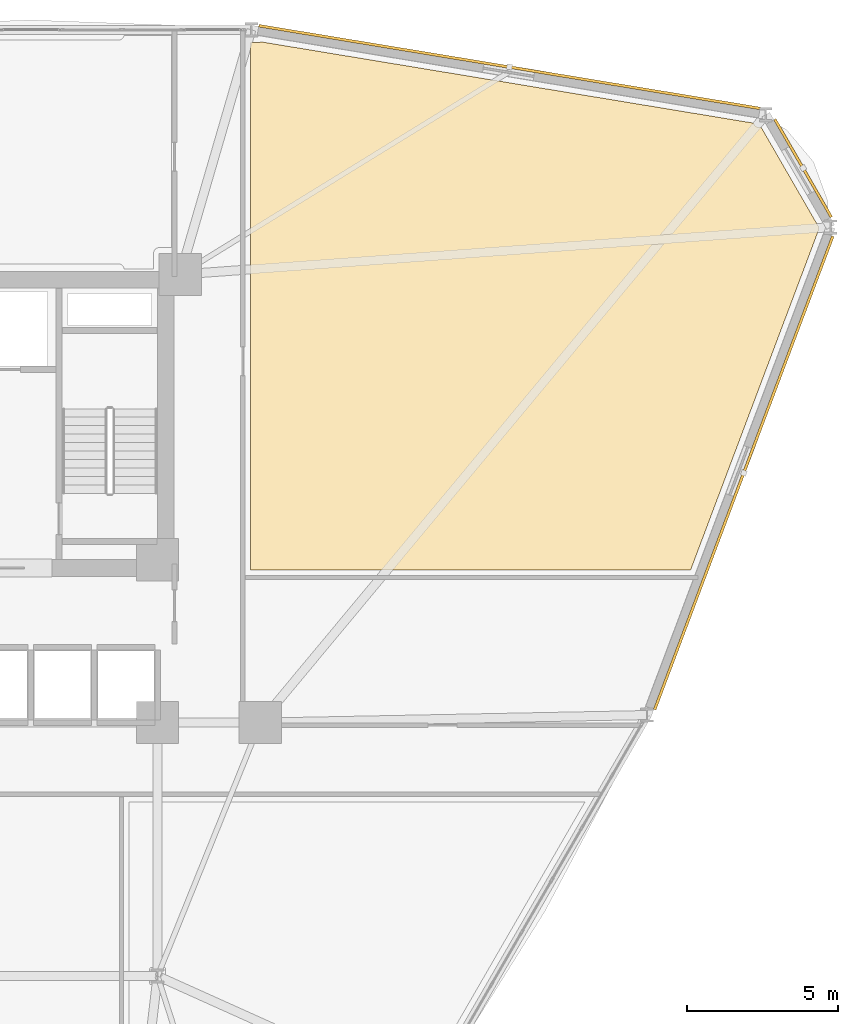
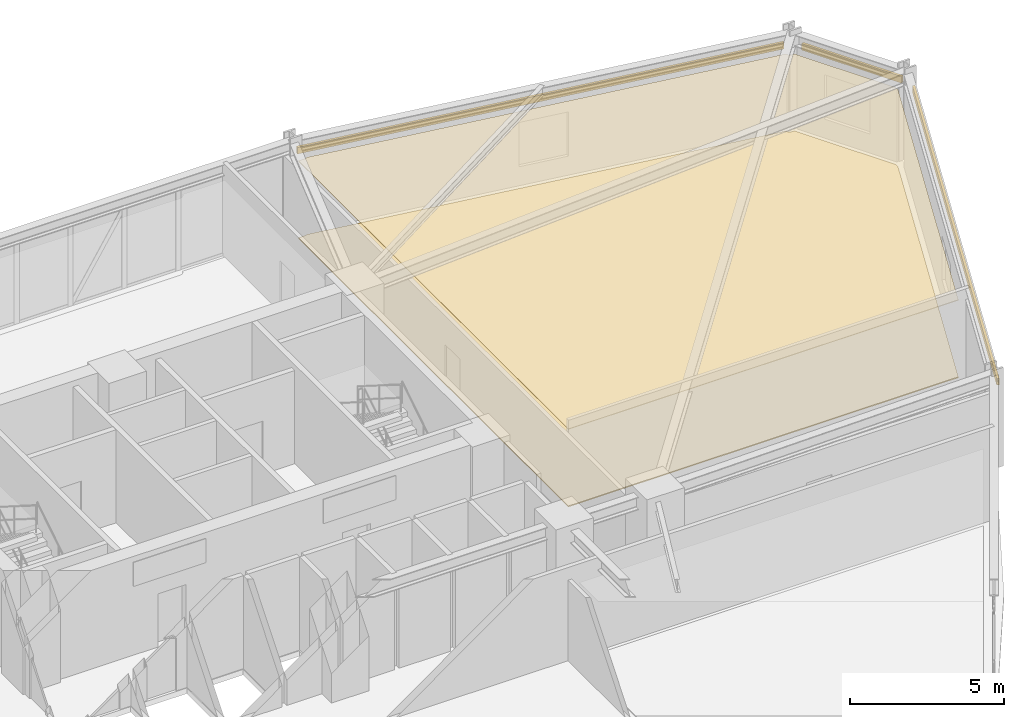
# One storey, part 20 of 20: 3 shading devices, 2 coverings.
"""IFC4 building model written with IfcOpenShell, lengths in metres."""

from ifc_helpers import new_model, si_unit, derived_unit, direction, frame, origin, origin_2d, place, context, subcontext, project, spatial, polyline, hollow_rectangle, outline, extrude, source, transform, mapped, material, layer, layer_set, material_profile, profile_set, type_object, element, save


model = new_model("IFC4")

# Units and contexts
model_context = context("Model", 3, precision=1e-05, world=origin(), true_north=direction((0.0, 1.0)))
body_context = subcontext(model_context, "Body", "Model", "MODEL_VIEW")
ifc_project = project(units=[si_unit("LENGTHUNIT", "METRE"), si_unit("AREAUNIT", "SQUARE_METRE"), si_unit("VOLUMEUNIT", "CUBIC_METRE"), si_unit("PLANEANGLEUNIT", "RADIAN"), si_unit("MASSUNIT", "GRAM", prefix="KILO"), derived_unit("THERMALTRANSMITTANCEUNIT", [(si_unit("POWERUNIT", "WATT"), 1), (si_unit("LENGTHUNIT", "METRE"), -2), (si_unit("THERMODYNAMICTEMPERATUREUNIT", "KELVIN"), -1)])], contexts=[model_context])

# Site, building, storey
site_placement = place(None, origin())
site = spatial("IfcSite", under=ifc_project, at=site_placement, CompositionType="ELEMENT")
building_placement = place(site_placement, origin())
building = spatial("IfcBuilding", under=site, at=building_placement, Name="Korsvarv Bourse and Concert Hall", CompositionType="ELEMENT")
storey_placement = place(building_placement, frame((0.0, 0.0, 87.300048828125)))
storey = spatial("IfcBuildingStorey", under=building, at=storey_placement, Name="L21", CompositionType="ELEMENT", Elevation=87.300048828125)

# Coverings
ifc_material_1 = material(Name="Perforated mineral-wool and birch acoustic baffle ceiling", Category="wood")
ifc_layer_1 = layer(ifc_material_1, 0.02490234375)
ifc_layer_set_1 = layer_set([ifc_layer_1], Name="Perforated mineral-wool and birch acoustic baffle ceiling")
covering_type_1 = type_object("IfcCoveringType", Name="COV-CEIL-1", PredefinedType="CEILING", material=ifc_layer_set_1)
covering_1_placement = place(storey_placement, frame((0.0, 0.0, 3.06005859375)))
element("IfcCovering", 1, at=covering_1_placement, inside=storey, type_object=covering_type_1, Name="L21 acoustic baffle ceiling 1", PredefinedType="CEILING", context=body_context, shape_type="SweptSolid", body=[
    extrude(outline(polyline([(64.15771484375, 52.26513671875), (64.1669921875, 52.236572265625), (64.1845703125, 52.204833984375), (64.2080078125, 52.17724609375), (64.23681640625, 52.15478515625), (64.269287109375, 52.138671875), (64.304443359375, 52.12939453125), (64.4052734375, 52.123046875), (66.302978515625, 48.835693359375), (66.302978515625, 48.716796875), (62.06201171875, 37.449951171875), (47.47998046875, 37.449951171875), (47.47998046875, 54.930908203125), (47.720947265625, 54.930908203125), (47.755859375, 54.93408203125), (47.78955078125, 54.9443359375), (47.820556640625, 54.960693359375), (64.15771484375, 52.26513671875)])), origin(), (0.0, 0.0, 1.0), 0.02490234375),
])
ifc_material_2 = material(Name="Calcium-sulphate raised access trading floor with Nordic oak top", Category="wood")
ifc_layer_2 = layer(ifc_material_2, 0.0400390625)
ifc_layer_set_2 = layer_set([ifc_layer_2], Name="Calcium-sulphate raised access trading floor with Nordic oak top")
covering_type_2 = type_object("IfcCoveringType", Name="COV-FLOR-1", PredefinedType="FLOORING", material=ifc_layer_set_2)
covering_2_placement = place(storey_placement, origin())
element("IfcCovering", 2, at=covering_2_placement, inside=storey, type_object=covering_type_2, Name="L21 raised access oak floor finish 1", PredefinedType="FLOORING", context=body_context, shape_type="SweptSolid", body=[
    extrude(outline(polyline([(64.15771484375, 52.26513671875), (64.1669921875, 52.236572265625), (64.1845703125, 52.204833984375), (64.2080078125, 52.17724609375), (64.23681640625, 52.15478515625), (64.269287109375, 52.138671875), (64.304443359375, 52.12939453125), (64.4052734375, 52.123046875), (66.302978515625, 48.835693359375), (66.302978515625, 48.716796875), (62.06201171875, 37.449951171875), (47.47998046875, 37.449951171875), (47.47998046875, 54.930908203125), (47.720947265625, 54.930908203125), (47.755859375, 54.93408203125), (47.78955078125, 54.9443359375), (47.820556640625, 54.960693359375), (64.15771484375, 52.26513671875)])), origin(), (0.0, 0.0, 1.0), 0.0400390625),
])

# Shading devices
ifc_material_3 = material(Name="Glazed extruded architectural terracotta", Category="ceramic")
ifc_material_profile = material_profile(ifc_material_3, hollow_rectangle(XDim=0.090087890625, YDim=0.260009765625, WallThickness=0.011962890625, at=origin_2d()), Name="TC-BAG 90x260")
ifc_profile_set = profile_set([ifc_material_profile], Name="Glazed extruded architectural terracotta")
shading_device_type = type_object("IfcShadingDeviceType", Name="SHD-BAG-1", PredefinedType="USERDEFINED", material=ifc_profile_set)
shared_shape_1 = source(origin(), body_context, "Body", "SweptSolid", [
    extrude(hollow_rectangle(XDim=0.090087890625, YDim=0.260009765625, WallThickness=0.011962890625, at=origin_2d()), origin(), (0.0, 0.0, 1.0), 3.7421875),
])
shading_device_1_placement = place(storey_placement, frame((66.7255859375, 49.154052734375, 3.070068359375), z_axis=(-0.500012356405, 0.866018269693, 0.0), x_axis=(-0.866018269693, -0.500012356405, 0.0)))
element("IfcShadingDevice", 3, at=shading_device_1_placement, inside=storey, type_object=shading_device_type, Name="L21 terracotta baguette sunshade EW-L21-B01", ObjectType="BAGUETTE", PredefinedType="USERDEFINED", context=body_context, shape_type="MappedRepresentation", body=[
    mapped(shared_shape_1, transform((0.0, 0.0, 0.0), scale=1.0)),
])
shared_shape_2 = source(origin(), body_context, "Body", "SweptSolid", [
    extrude(hollow_rectangle(XDim=0.090087890625, YDim=0.260009765625, WallThickness=0.011962890625, at=origin_2d()), origin(), (0.0, 0.0, 1.0), 16.83642578125),
])
shading_device_2_placement = place(storey_placement, frame((64.365966796875, 52.752685546875, 3.070068359375), z_axis=(-0.986649424809, 0.162858566012, 0.0), x_axis=(-0.162858566012, -0.986649424809, 0.0)))
element("IfcShadingDevice", 4, at=shading_device_2_placement, inside=storey, type_object=shading_device_type, Name="L21 terracotta baguette sunshade EW-L21-B02", ObjectType="BAGUETTE", PredefinedType="USERDEFINED", context=body_context, shape_type="MappedRepresentation", body=[
    mapped(shared_shape_2, transform((0.0, 0.0, 0.0), scale=1.0)),
])
shared_shape_3 = source(origin(), body_context, "Body", "SweptSolid", [
    extrude(hollow_rectangle(XDim=0.090087890625, YDim=0.260009765625, WallThickness=0.011962890625, at=origin_2d()), origin(), (0.0, 0.0, 1.0), 16.7587890625),
])
shading_device_3_placement = place(storey_placement, frame((60.873779296875, 32.831298828125, 3.070068359375), z_axis=(0.352279020809, 0.935895021622, 0.0), x_axis=(-0.935895021622, 0.352279020809, 0.0)))
element("IfcShadingDevice", 5, at=shading_device_3_placement, inside=storey, type_object=shading_device_type, Name="L21 terracotta baguette sunshade EW-L21-B12", ObjectType="BAGUETTE", PredefinedType="USERDEFINED", context=body_context, shape_type="MappedRepresentation", body=[
    mapped(shared_shape_3, transform((0.0, 0.0, 0.0), scale=1.0)),
])

save(model, "model.ifc")
